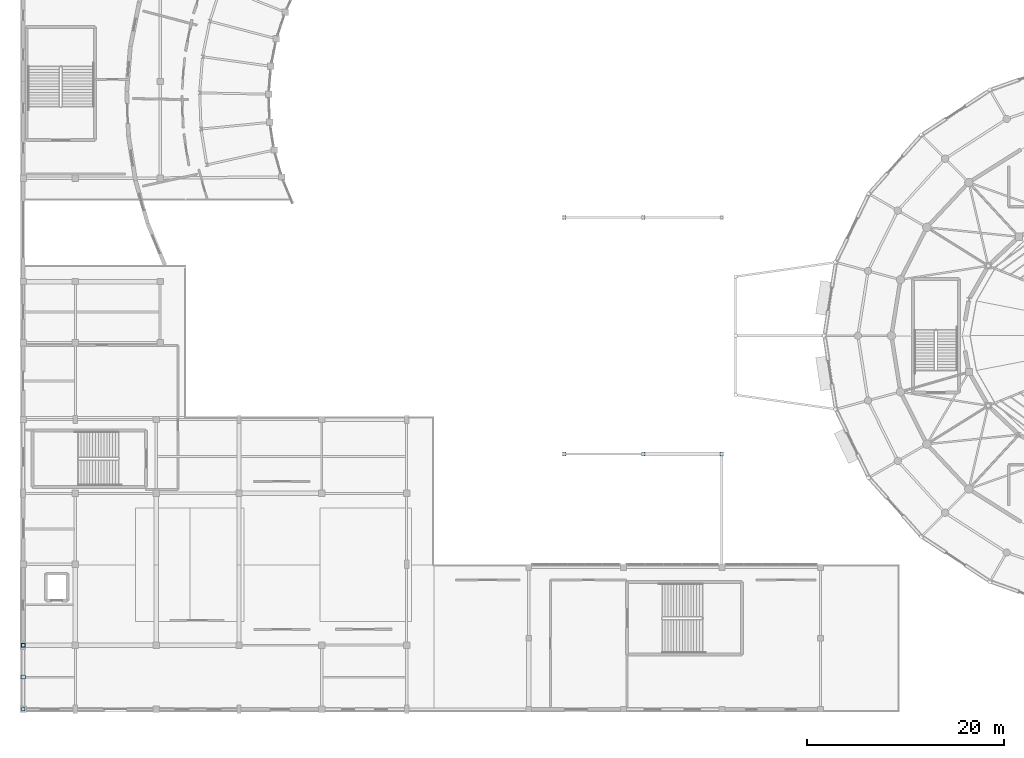
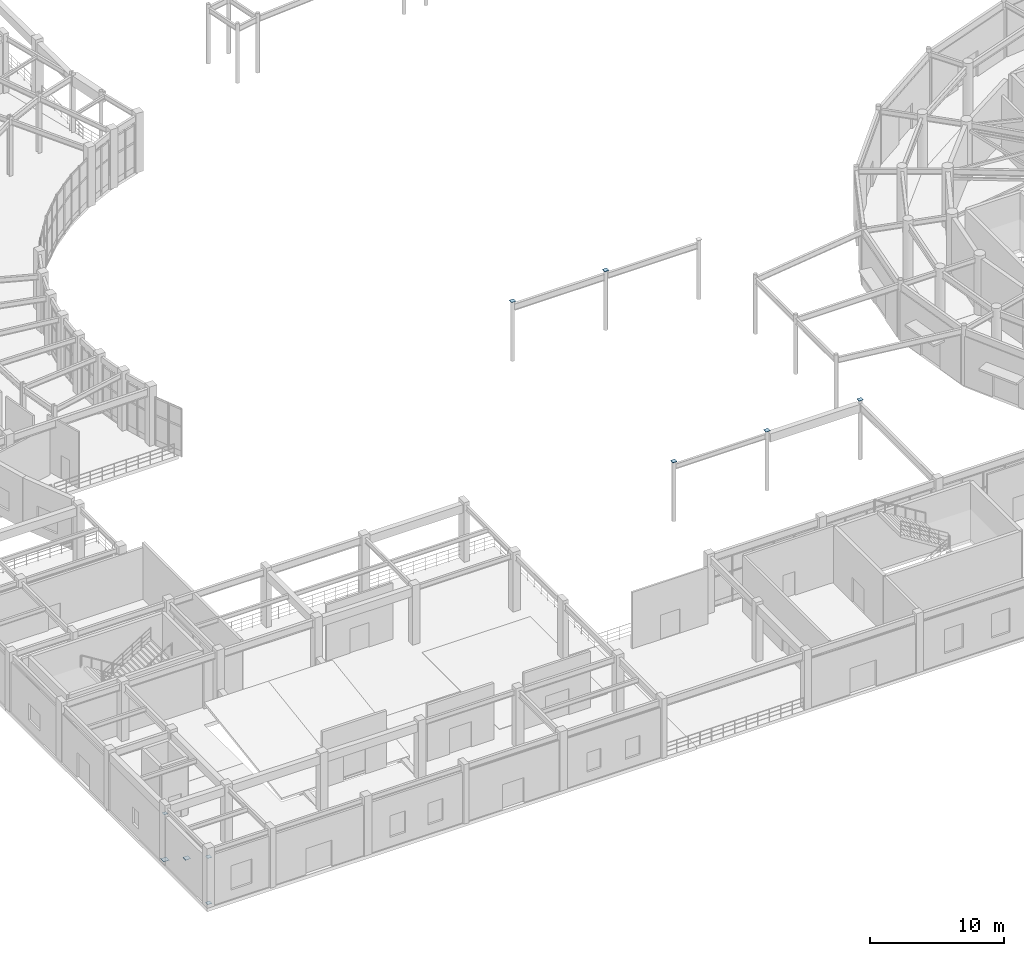
# One storey, part 46 of 93: 10 plates.
"""IFC4 building model written with IfcOpenShell, lengths in metres."""

from ifc_helpers import new_model, si_unit, direction, frame, origin, origin_2d, place, context, subcontext, project, spatial, rectangle, extrude, material, layer, layer_set, type_object, element, save


model = new_model("IFC4")

# Units and contexts
model_context = context("Model", 3, precision=1e-05, world=origin(), true_north=direction((0.0, 1.0)))
body_context = subcontext(model_context, "Body", "Model", "MODEL_VIEW")
ifc_project = project(units=[si_unit("LENGTHUNIT", "METRE"), si_unit("AREAUNIT", "SQUARE_METRE"), si_unit("VOLUMEUNIT", "CUBIC_METRE"), si_unit("PLANEANGLEUNIT", "RADIAN"), si_unit("MASSUNIT", "GRAM", prefix="KILO")], contexts=[model_context])

# Site, building, storey
site_placement = place(None, origin())
site = spatial("IfcSite", under=ifc_project, at=site_placement, CompositionType="ELEMENT")
building_placement = place(site_placement, origin())
building = spatial("IfcBuilding", under=site, at=building_placement, Name="Cinderbank Siding Concert Hall", CompositionType="ELEMENT")
storey_placement = place(building_placement, origin())
storey = spatial("IfcBuildingStorey", under=building, at=storey_placement, Name="L01", CompositionType="ELEMENT", Elevation=0.0)

# Plates
ifc_material = material(Name="Structural steel welded plate section AS/NZS 3679.2 / AS/NZS 3678 Grade 350 (340 MPa)", Category="steel")
ifc_layer_1 = layer(ifc_material, 0.02490234375)
ifc_layer_set_1 = layer_set([ifc_layer_1], Name="Structural steel welded plate section AS/NZS 3679.2 / AS/NZS 3678 Grade 350 (340 MPa)")
plate_type_1 = type_object("IfcPlateType", Name="GP-01 Steel Gusset Cap Plate 480x480x25", PredefinedType="SHEET", material=ifc_layer_set_1)
plate_1_placement = place(storey_placement, frame((7.10009765625, 12.60009765625, 0.1875), z_axis=(0.0, 0.0, 1.0), x_axis=(0.0, -1.0, 0.0)))
element("IfcPlate", 1, at=plate_1_placement, inside=storey, type_object=plate_type_1, Name="L01 Steel Node Gusset Plate GP-01 #1360", PredefinedType="SHEET", context=body_context, shape_type="SweptSolid", body=[
    extrude(rectangle(XDim=0.47998046875, YDim=0.47998046875, at=origin_2d()), origin(), (0.0, 0.0, 1.0), 0.02490234375),
])
ifc_layer_2 = layer(ifc_material, 0.02197265625)
ifc_layer_set_2 = layer_set([ifc_layer_2], Name="Structural steel welded plate section AS/NZS 3679.2 / AS/NZS 3678 Grade 350 (340 MPa)")
plate_type_2 = type_object("IfcPlateType", Name="GP-02 Steel Gusset Cap Plate 420x420x22", PredefinedType="SHEET", material=ifc_layer_set_2)
plate_2_placement = place(storey_placement, frame((7.10009765625, 9.362548828125, 2.281005859375), z_axis=(0.0, 0.0, 1.0), x_axis=(0.0, -1.0, 0.0)))
element("IfcPlate", 2, at=plate_2_placement, inside=storey, type_object=plate_type_2, Name="L01 Steel Node Gusset Plate GP-02 #1361", PredefinedType="SHEET", context=body_context, shape_type="SweptSolid", body=[
    extrude(rectangle(XDim=0.419921875, YDim=0.419921875, at=origin_2d()), origin(), (0.0, 0.0, 1.0), 0.02197265625),
])
ifc_layer_3 = layer(ifc_material, 0.02001953125)
ifc_layer_set_3 = layer_set([ifc_layer_3], Name="Structural steel welded plate section AS/NZS 3679.2 / AS/NZS 3678 Grade 350 (340 MPa)")
plate_type_3 = type_object("IfcPlateType", Name="GP-03 Steel Gusset Cap Plate 360x360x20", PredefinedType="SHEET", material=ifc_layer_set_3)
for number, where, z_axis, x_axis, name in (
    (3, (62.0, 32.0, 5.3798828125), (0.0, 0.0, 1.0), (1.0, 0.0, 0.0), "L01 Column End Cap Plate GP-03 COL-PAD-01-L01"),
    (4, (70.0, 32.0, 5.3798828125), (0.0, 0.0, 1.0), (1.0, 0.0, 0.0), "L01 Column End Cap Plate GP-03 COL-PAD-02-L01"),
    (5, (78.0, 32.0, 5.3798828125), (0.0, 0.0, 1.0), (1.0, 0.0, 0.0), "L01 Column End Cap Plate GP-03 COL-PAD-03-L01"),
    (6, (62.0, 56.0, 5.3798828125), (0.0, 0.0, 1.0), (1.0, 0.0, 0.0), "L01 Column End Cap Plate GP-03 COL-PAD-04-L01"),
    (7, (70.0, 56.0, 5.3798828125), (0.0, 0.0, 1.0), (1.0, 0.0, 0.0), "L01 Column End Cap Plate GP-03 COL-PAD-05-L01"),
    (8, (7.10009765625, 6.10009765625, 0.18994140625), (0.0, 0.0, 1.0), (0.0, 1.0, 0.0), "L01 Steel Node Gusset Plate GP-03 #1358"),
    (9, (7.10009765625, 6.10009765625, 4.389892578125), (0.0, 0.0, 1.0), (0.0, -1.0, 0.0), "L01 Steel Node Gusset Plate GP-03 #1362"),
):
    element("IfcPlate", number, at=place(storey_placement, frame(where, z_axis=z_axis, x_axis=x_axis)), inside=storey, type_object=plate_type_3, Name=name, PredefinedType="SHEET", context=body_context, shape_type="SweptSolid", body=[
        extrude(rectangle(XDim=0.360107421875, YDim=0.360107421875, at=origin_2d()), origin(), (0.0, 0.0, 1.0), 0.02001953125),
    ])
ifc_layer_4 = layer(ifc_material, 0.02099609375)
ifc_layer_set_4 = layer_set([ifc_layer_4], Name="Structural steel welded plate section AS/NZS 3679.2 / AS/NZS 3678 Grade 350 (340 MPa)")
plate_type_4 = type_object("IfcPlateType", Name="GP-04 Steel Gusset Cap Plate 320x320x21", PredefinedType="SHEET", material=ifc_layer_set_4)
plate_3_placement = place(storey_placement, frame((7.10009765625, 12.60009765625, 4.389404296875), z_axis=(0.0, 0.0, 1.0), x_axis=(0.0, 1.0, 0.0)))
element("IfcPlate", 10, at=plate_3_placement, inside=storey, type_object=plate_type_4, Name="L01 Steel Node Gusset Plate GP-04 #1359", PredefinedType="SHEET", context=body_context, shape_type="SweptSolid", body=[
    extrude(rectangle(XDim=0.320068359375, YDim=0.320068359375, at=origin_2d()), origin(), (0.0, 0.0, 1.0), 0.02099609375),
])

save(model, "model.ifc")
